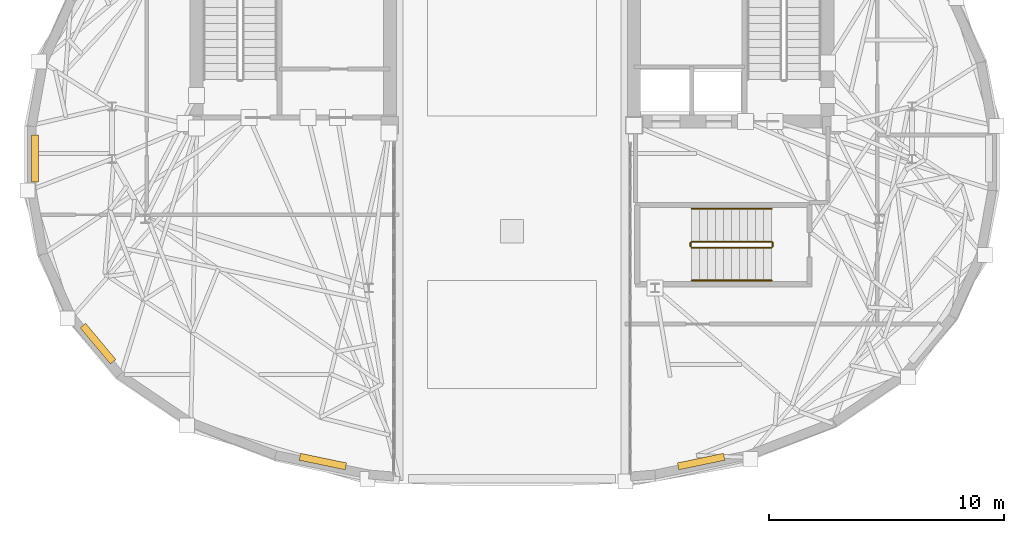
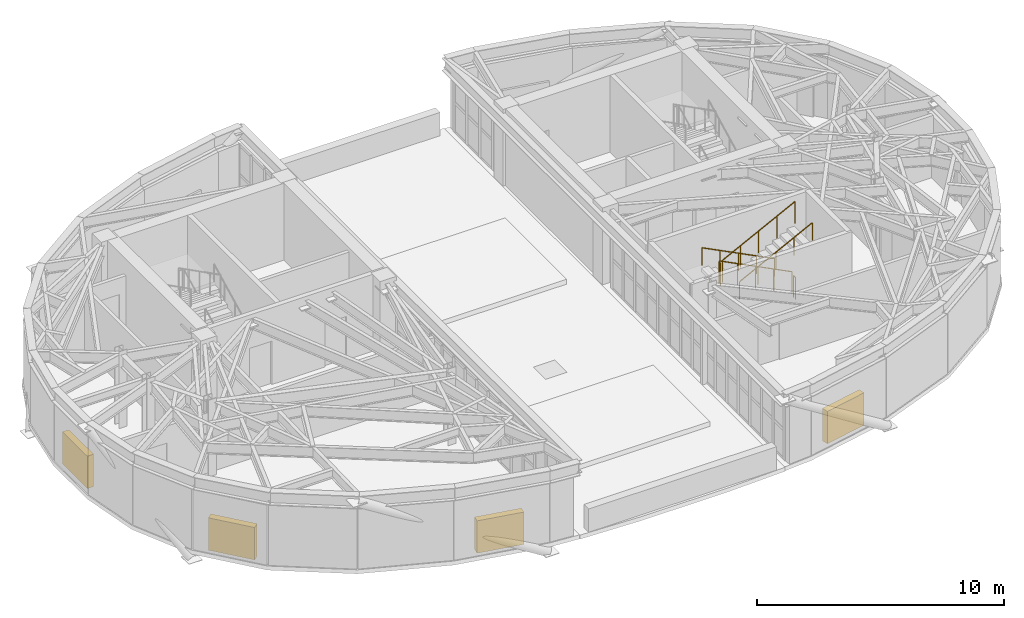
# One storey, part 11 of 13: 6 railings, 4 shading devices.
"""IFC4 building model written with IfcOpenShell, lengths in metres."""

from ifc_helpers import new_model, si_unit, direction, frame, origin, origin_2d, place, context, subcontext, project, spatial, rectangle, circle, extrude, material, type_object, element, save


model = new_model("IFC4")

# Units and contexts
model_context = context("Model", 3, precision=1e-05, world=origin(), true_north=direction((0.0, 1.0)))
body_context = subcontext(model_context, "Body", "Model", "MODEL_VIEW")
ifc_project = project(units=[si_unit("LENGTHUNIT", "METRE"), si_unit("AREAUNIT", "SQUARE_METRE"), si_unit("VOLUMEUNIT", "CUBIC_METRE"), si_unit("PLANEANGLEUNIT", "RADIAN"), si_unit("MASSUNIT", "GRAM", prefix="KILO")], contexts=[model_context])

# Site, building, storey
site_placement = place(None, origin())
site = spatial("IfcSite", under=ifc_project, at=site_placement, CompositionType="ELEMENT")
building_placement = place(site_placement, origin())
building = spatial("IfcBuilding", under=site, at=building_placement, Name="Keldmark Tower", CompositionType="ELEMENT")
storey_placement = place(building_placement, frame((0.0, 0.0, 269.199951171875)))
storey = spatial("IfcBuildingStorey", under=building, at=storey_placement, Name="L76", CompositionType="ELEMENT", Elevation=269.199951171875)

# Shading devices
ifc_material_1 = material(Name="Fluoropolymer-Coated Extruded Aluminum Stormproof Blades", Category="aluminium")
shading_device_type = type_object("IfcShadingDeviceType", Name="Mechanical Floor Acoustic Intake Louvre", PredefinedType="JALOUSIE", material=ifc_material_1)
for number, where, z_axis, x_axis, name in (
    (1, (8.05078125, -12.9091796875, 0.0), (0.0, 0.0, 1.0), (0.979148419425, 0.203146185633, 0.0), "L76 Crown Screen Acoustic Louvre E13"),
    (2, (-8.05078125, -12.9091796875, 0.0), (0.0, 0.0, 1.0), (0.979148419425, -0.203146185633, 0.0), "L76 Crown Screen Acoustic Louvre W01"),
    (3, (-17.62255859375, -7.88916015625, 0.0), (0.0, 0.0, 1.0), (0.640686109478, -0.767802910337, 0.0), "L76 Crown Screen Acoustic Louvre W04"),
    (4, (-20.302001953125, 0.0, 0.0), (0.0, 0.0, 1.0), (0.0, -1.0, 0.0), "L76 Crown Screen Acoustic Louvre W07"),
):
    element("IfcShadingDevice", number, at=place(storey_placement, frame(where, z_axis=z_axis, x_axis=x_axis)), inside=storey, type_object=shading_device_type, Name=name, PredefinedType="JALOUSIE", context=body_context, shape_type="SweptSolid", body=[
        extrude(rectangle(XDim=2.0, YDim=0.300048828125, at=origin_2d()), origin(), (0.0, 0.0, 1.0), 1.60009765625),
    ])

# Railings
ifc_material_2 = material(Name="Painted Steel ASTM A500 Grade B", Category="steel")
railing_type_1 = type_object("IfcRailingType", Name="Painted Steel Stair Well Guard 1100 mm", PredefinedType="GUARDRAIL", material=ifc_material_2)
railing_1_placement = place(storey_placement, frame((11.050048828125, -3.550048828125, 0.1728515625)))
element("IfcRailing", 5, at=railing_1_placement, inside=storey, type_object=railing_type_1, Name="L76 ST4 stair guard 1", PredefinedType="GUARDRAIL", context=body_context, shape_type="SweptSolid", body=[
    extrude(circle(Radius=0.02392578125, at=origin_2d()), frame((0.0, 0.0, 1.076171875), z_axis=(-0.891553839763, 0.0, 0.452914727962), x_axis=(0.0, -1.0, 0.0)), (0.0, 0.0, 1.0), 3.813720703125),
    extrude(circle(Radius=0.02099609375, at=origin_2d()), origin(), (0.0, 0.0, 1.0), 1.052001953125),
    extrude(circle(Radius=0.02099609375, at=origin_2d()), frame((-0.85009765625, 0.0, 0.431884765625)), (0.0, 0.0, 1.0), 1.052001953125),
    extrude(circle(Radius=0.02099609375, at=origin_2d()), frame((-1.7001953125, 0.0, 0.86376953125)), (0.0, 0.0, 1.0), 1.052001953125),
    extrude(circle(Radius=0.02099609375, at=origin_2d()), frame((-2.550048828125, 0.0, 1.29541015625)), (0.0, 0.0, 1.0), 1.052001953125),
    extrude(circle(Radius=0.02099609375, at=origin_2d()), frame((-3.400146484375, 0.0, 1.727294921875)), (0.0, 0.0, 1.0), 1.052001953125),
])
railing_2_placement = place(storey_placement, frame((7.60009765625, -3.60009765625, 1.900146484375)))
element("IfcRailing", 6, at=railing_2_placement, inside=storey, type_object=railing_type_1, Name="L76 ST4 stair guard 2", PredefinedType="GUARDRAIL", context=body_context, shape_type="SweptSolid", body=[
    extrude(circle(Radius=0.02392578125, at=origin_2d()), frame((0.0, 0.0, 1.076171875), z_axis=(0.0, -1.0, 0.0), x_axis=(1.0, 0.0, 0.0)), (0.0, 0.0, 1.0), 0.14990234375),
    extrude(circle(Radius=0.02099609375, at=origin_2d()), origin(), (0.0, 0.0, 1.0), 1.052001953125),
    extrude(circle(Radius=0.02099609375, at=origin_2d()), frame((0.0, -0.14990234375, 0.0)), (0.0, 0.0, 1.0), 1.052001953125),
])
railing_3_placement = place(storey_placement, frame((7.64990234375, -3.800048828125, 2.07275390625)))
element("IfcRailing", 7, at=railing_3_placement, inside=storey, type_object=railing_type_1, Name="L76 ST4 stair guard 3", PredefinedType="GUARDRAIL", context=body_context, shape_type="SweptSolid", body=[
    extrude(circle(Radius=0.02392578125, at=origin_2d()), frame((0.0, 0.0, 1.076171875), z_axis=(0.891553839763, 0.0, 0.452914727962), x_axis=(0.0, 1.0, 0.0)), (0.0, 0.0, 1.0), 3.813720703125),
    extrude(circle(Radius=0.02099609375, at=origin_2d()), origin(), (0.0, 0.0, 1.0), 1.052001953125),
    extrude(circle(Radius=0.02099609375, at=origin_2d()), frame((0.85009765625, 0.0, 0.431884765625)), (0.0, 0.0, 1.0), 1.052001953125),
    extrude(circle(Radius=0.02099609375, at=origin_2d()), frame((1.7001953125, 0.0, 0.86376953125)), (0.0, 0.0, 1.0), 1.052001953125),
    extrude(circle(Radius=0.02099609375, at=origin_2d()), frame((2.550048828125, 0.0, 1.29541015625)), (0.0, 0.0, 1.0), 1.052001953125),
    extrude(circle(Radius=0.02099609375, at=origin_2d()), frame((3.400146484375, 0.0, 1.727294921875)), (0.0, 0.0, 1.0), 1.052001953125),
])
railing_4_placement = place(storey_placement, frame((11.10009765625, -3.60009765625, 0.0)))
element("IfcRailing", 8, at=railing_4_placement, inside=storey, type_object=railing_type_1, Name="L76 ST4 stair guard 4", PredefinedType="GUARDRAIL", context=body_context, shape_type="SweptSolid", body=[
    extrude(circle(Radius=0.02392578125, at=origin_2d()), frame((0.0, 0.0, 1.076171875), z_axis=(0.0, -1.0, 0.0), x_axis=(1.0, 0.0, 0.0)), (0.0, 0.0, 1.0), 0.14990234375),
    extrude(circle(Radius=0.02099609375, at=origin_2d()), origin(), (0.0, 0.0, 1.0), 1.052001953125),
    extrude(circle(Radius=0.02099609375, at=origin_2d()), frame((0.0, -0.14990234375, 0.0)), (0.0, 0.0, 1.0), 1.052001953125),
])
ifc_material_3 = material(Name="Stainless Steel AISI 316L", Category="steel")
railing_type_2 = type_object("IfcRailingType", Name="Stainless Steel Stair Handrail 900 mm", PredefinedType="HANDRAIL", material=ifc_material_3)
railing_5_placement = place(storey_placement, frame((11.050048828125, -2.14990234375, 0.1728515625)))
element("IfcRailing", 9, at=railing_5_placement, inside=storey, type_object=railing_type_2, Name="L76 ST4 stair handrail 1", PredefinedType="HANDRAIL", context=body_context, shape_type="SweptSolid", body=[
    extrude(circle(Radius=0.02392578125, at=origin_2d()), frame((0.0, 0.0, 0.8759765625), z_axis=(-0.891553839763, 0.0, 0.452914727962), x_axis=(0.0, -1.0, 0.0)), (0.0, 0.0, 1.0), 3.813720703125),
    extrude(circle(Radius=0.02099609375, at=origin_2d()), origin(), (0.0, 0.0, 1.0), 0.851806640625),
    extrude(circle(Radius=0.02099609375, at=origin_2d()), frame((-0.85009765625, 0.0, 0.431884765625)), (0.0, 0.0, 1.0), 0.851806640625),
    extrude(circle(Radius=0.02099609375, at=origin_2d()), frame((-1.7001953125, 0.0, 0.86376953125)), (0.0, 0.0, 1.0), 0.851806640625),
    extrude(circle(Radius=0.02099609375, at=origin_2d()), frame((-2.550048828125, 0.0, 1.29541015625)), (0.0, 0.0, 1.0), 0.851806640625),
    extrude(circle(Radius=0.02099609375, at=origin_2d()), frame((-3.400146484375, 0.0, 1.727294921875)), (0.0, 0.0, 1.0), 0.851806640625),
])
railing_6_placement = place(storey_placement, frame((7.64990234375, -5.199951171875, 2.07275390625)))
element("IfcRailing", 10, at=railing_6_placement, inside=storey, type_object=railing_type_2, Name="L76 ST4 stair handrail 2", PredefinedType="HANDRAIL", context=body_context, shape_type="SweptSolid", body=[
    extrude(circle(Radius=0.02392578125, at=origin_2d()), frame((0.0, 0.0, 0.8759765625), z_axis=(0.891553839763, 0.0, 0.452914727962), x_axis=(0.0, 1.0, 0.0)), (0.0, 0.0, 1.0), 3.813720703125),
    extrude(circle(Radius=0.02099609375, at=origin_2d()), origin(), (0.0, 0.0, 1.0), 0.851806640625),
    extrude(circle(Radius=0.02099609375, at=origin_2d()), frame((0.85009765625, 0.0, 0.431884765625)), (0.0, 0.0, 1.0), 0.851806640625),
    extrude(circle(Radius=0.02099609375, at=origin_2d()), frame((1.7001953125, 0.0, 0.86376953125)), (0.0, 0.0, 1.0), 0.851806640625),
    extrude(circle(Radius=0.02099609375, at=origin_2d()), frame((2.550048828125, 0.0, 1.29541015625)), (0.0, 0.0, 1.0), 0.851806640625),
    extrude(circle(Radius=0.02099609375, at=origin_2d()), frame((3.400146484375, 0.0, 1.727294921875)), (0.0, 0.0, 1.0), 0.851806640625),
])

save(model, "model.ifc")
